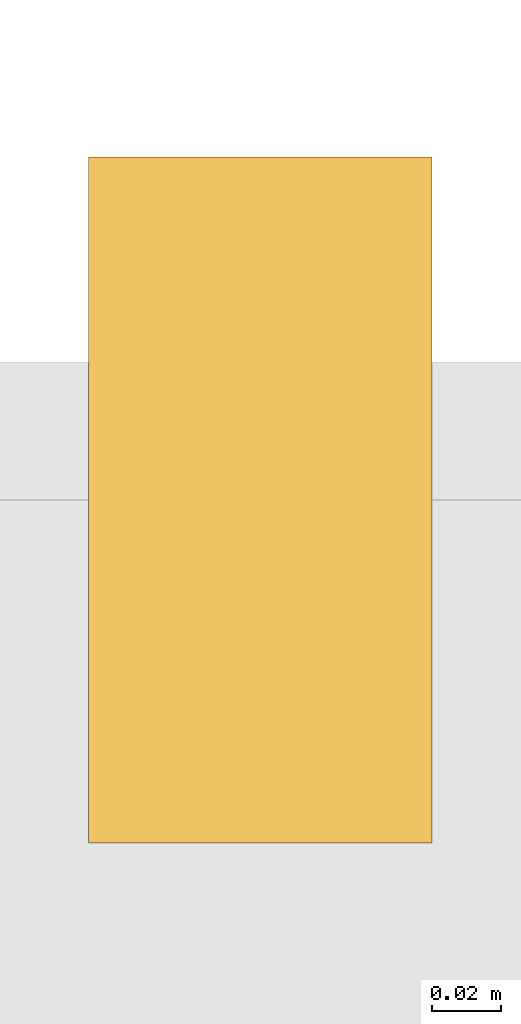
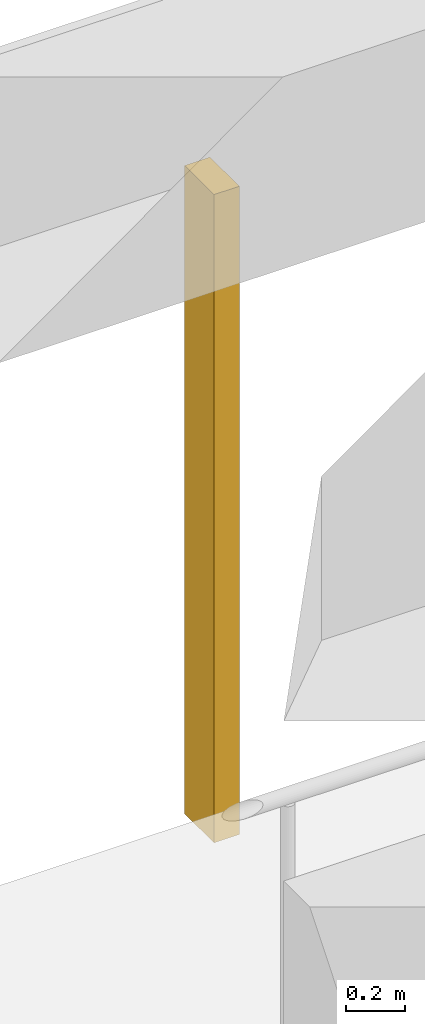
# One storey, part 15 of 22: 1 shading device.
"""IFC4 building model written with IfcOpenShell, lengths in metres."""

from ifc_helpers import new_model, si_unit, direction, frame, origin, origin_2d, place, context, subcontext, project, spatial, rectangle, extrude, material, material_profile, profile_set, type_object, element, save


model = new_model("IFC4")

# Units and contexts
model_context = context("Model", 3, precision=1e-05, world=origin(), true_north=direction((0.0, 1.0)))
body_context = subcontext(model_context, "Body", "Model", "MODEL_VIEW")
ifc_project = project(units=[si_unit("LENGTHUNIT", "METRE"), si_unit("AREAUNIT", "SQUARE_METRE"), si_unit("VOLUMEUNIT", "CUBIC_METRE"), si_unit("PLANEANGLEUNIT", "RADIAN"), si_unit("MASSUNIT", "GRAM", prefix="KILO")], contexts=[model_context])

# Site, building, storey
site_placement = place(None, origin())
site = spatial("IfcSite", under=ifc_project, at=site_placement, CompositionType="ELEMENT")
building_placement = place(site_placement, origin())
building = spatial("IfcBuilding", under=site, at=building_placement, Name="Vermilion Gate Residences", CompositionType="ELEMENT")
storey_placement = place(building_placement, frame((0.0, 0.0, 63.699951171875)))
storey = spatial("IfcBuildingStorey", under=building, at=storey_placement, Name="L15", CompositionType="ELEMENT", Elevation=63.699951171875)

# Shading device
ifc_material = material(Name="Extruded terracotta", Category="masonry")
ifc_material_profile = material_profile(ifc_material, rectangle(XDim=0.199951171875, YDim=0.10009765625, at=origin_2d()), Name="BAGUETTE 100 X 200")
ifc_profile_set = profile_set([ifc_material_profile], Name="Extruded terracotta")
shading_device_type = type_object("IfcShadingDeviceType", Name="TERRACOTTA BAGUETTE 100 X 200", PredefinedType="JALOUSIE", material=ifc_profile_set)
shading_device_placement = place(storey_placement, frame((63.0, 25.5, -0.280029296875), z_axis=(0.0, 0.0, 1.0), x_axis=(0.0, -1.0, 0.0)))
element("IfcShadingDevice", 1, at=shading_device_placement, inside=storey, type_object=shading_device_type, Name="BAGUETTE", PredefinedType="JALOUSIE", context=body_context, shape_type="SweptSolid", body=[
    extrude(rectangle(XDim=0.199951171875, YDim=0.10009765625, at=origin_2d()), origin(), (0.0, 0.0, 1.0), 2.7001953125),
])

save(model, "model.ifc")
